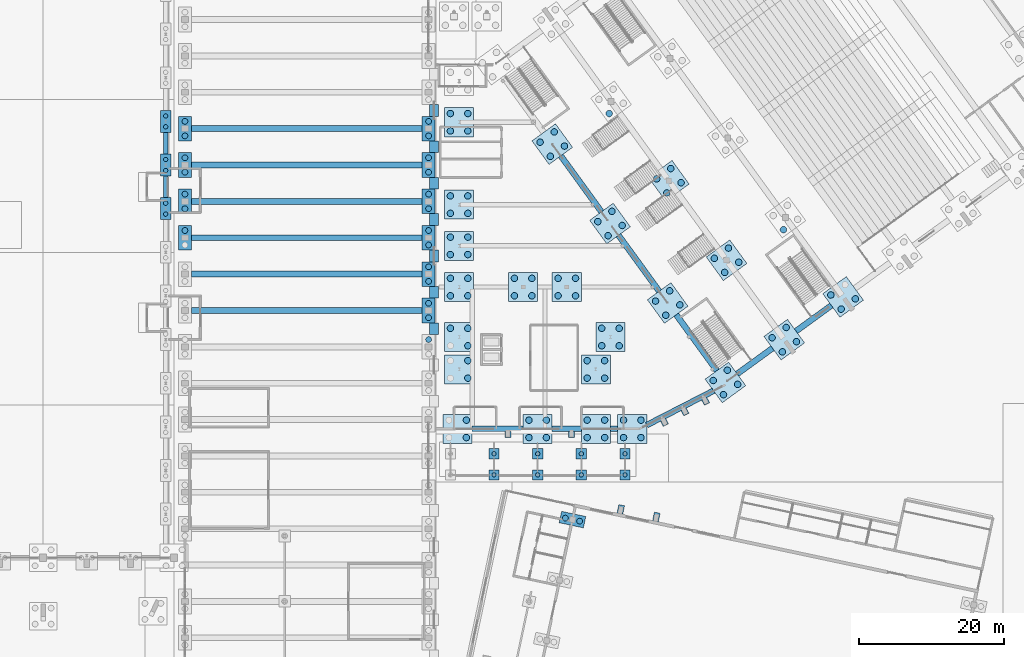
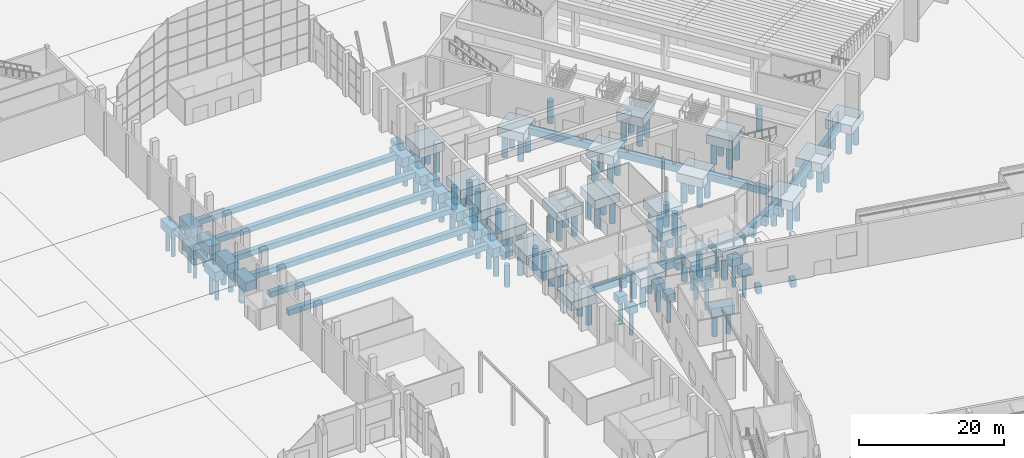
# One storey, part 8 of 239: 120 piles, 75 footings.
"""IFC4 building model written with IfcOpenShell, lengths in metres."""

from ifc_helpers import new_model, si_unit, direction, frame, origin, origin_2d, place, context, subcontext, project, spatial, rectangle, circle, extrude, material, material_profile, profile_set, type_object, element, save


model = new_model("IFC4")

# Units and contexts
model_context = context("Model", 3, precision=1e-05, world=origin(), true_north=direction((0.0, 1.0)))
body_context = subcontext(model_context, "Body", "Model", "MODEL_VIEW")
ifc_project = project(units=[si_unit("LENGTHUNIT", "METRE"), si_unit("AREAUNIT", "SQUARE_METRE"), si_unit("VOLUMEUNIT", "CUBIC_METRE"), si_unit("PLANEANGLEUNIT", "RADIAN"), si_unit("MASSUNIT", "GRAM", prefix="KILO")], contexts=[model_context])

# Site, building, storey
site_placement = place(None, origin())
site = spatial("IfcSite", under=ifc_project, at=site_placement, CompositionType="ELEMENT")
building_placement = place(site_placement, origin())
building = spatial("IfcBuilding", under=site, at=building_placement, Name="Okhra Congress Centre", CompositionType="ELEMENT")
storey_placement = place(building_placement, origin())
storey = spatial("IfcBuildingStorey", under=building, at=storey_placement, Name="L00", CompositionType="ELEMENT", Elevation=0.0)

# Piles
ifc_material_1 = material(Name="Concrete C30/37", Category="concrete")
ifc_material_profile_1 = material_profile(ifc_material_1, circle(Radius=0.300048828125, at=origin_2d()), Name="D600")
ifc_profile_set_1 = profile_set([ifc_material_profile_1], Name="Concrete C30/37")
pile_type_1 = type_object("IfcPileType", Name="Bored pile D600", PredefinedType="BORED", material=ifc_profile_set_1)
for number, where, z_axis, x_axis, name in (
    (1, (152.85009765625, 179.25, -1.800048828125), (0.0, 0.0, -1.0), (1.0, 0.0, 0.0), "EH.PILE.L00.PP30.1"),
    (2, (152.85009765625, 180.75, -1.800048828125), (0.0, 0.0, -1.0), (1.0, 0.0, 0.0), "EH.PILE.L00.PP30.2"),
    (3, (152.85009765625, 185.25, -1.800048828125), (0.0, 0.0, -1.0), (1.0, 0.0, 0.0), "EH.PILE.L00.PP32.1"),
    (4, (152.85009765625, 186.75, -1.800048828125), (0.0, 0.0, -1.0), (1.0, 0.0, 0.0), "EH.PILE.L00.PP32.2"),
    (5, (152.85009765625, 191.25, -1.800048828125), (0.0, 0.0, -1.0), (1.0, 0.0, 0.0), "EH.PILE.L00.PP34.1"),
    (6, (152.85009765625, 192.75, -1.800048828125), (0.0, 0.0, -1.0), (1.0, 0.0, 0.0), "EH.PILE.L00.PP34.2"),
):
    element("IfcPile", number, at=place(storey_placement, frame(where, z_axis=z_axis, x_axis=x_axis)), inside=storey, type_object=pile_type_1, Name=name, PredefinedType="BORED", context=body_context, shape_type="SweptSolid", body=[
        extrude(circle(Radius=0.300048828125, at=origin_2d()), origin(), (0.0, 0.0, 1.0), 3.699951171875),
    ])
ifc_material_profile_2 = material_profile(ifc_material_1, circle(Radius=0.300048828125, at=origin_2d()), Name="D600")
ifc_profile_set_2 = profile_set([ifc_material_profile_2], Name="Concrete C30/37")
pile_type_2 = type_object("IfcPileType", Name="Bored pile D600 C30/37", PredefinedType="BORED", material=ifc_profile_set_2)
for number, where, z_axis, x_axis, name in (
    (7, (198.0, 143.39990234375, -1.5), (0.0, 0.0, -1.0), (1.0, 0.0, 0.0), "ST.PILE.L00.canopy-1-0"),
    (8, (198.0, 146.300048828125, -1.5), (0.0, 0.0, -1.0), (1.0, 0.0, 0.0), "ST.PILE.L00.canopy-1-1"),
    (9, (204.0, 143.39990234375, -1.5), (0.0, 0.0, -1.0), (1.0, 0.0, 0.0), "ST.PILE.L00.canopy-2-0"),
    (10, (204.0, 146.300048828125, -1.5), (0.0, 0.0, -1.0), (1.0, 0.0, 0.0), "ST.PILE.L00.canopy-2-1"),
    (11, (210.0, 143.39990234375, -1.5), (0.0, 0.0, -1.0), (1.0, 0.0, 0.0), "ST.PILE.L00.canopy-3-0"),
    (12, (210.0, 146.300048828125, -1.5), (0.0, 0.0, -1.0), (1.0, 0.0, 0.0), "ST.PILE.L00.canopy-3-1"),
    (13, (216.0, 143.39990234375, -1.5), (0.0, 0.0, -1.0), (1.0, 0.0, 0.0), "ST.PILE.L00.canopy-4-0"),
    (14, (216.0, 146.300048828125, -1.5), (0.0, 0.0, -1.0), (1.0, 0.0, 0.0), "ST.PILE.L00.canopy-4-1"),
):
    element("IfcPile", number, at=place(storey_placement, frame(where, z_axis=z_axis, x_axis=x_axis)), inside=storey, type_object=pile_type_2, Name=name, PredefinedType="BORED", context=body_context, shape_type="SweptSolid", body=[
        extrude(circle(Radius=0.300048828125, at=origin_2d()), origin(), (0.0, 0.0, 1.0), 4.0),
    ])
ifc_material_profile_3 = material_profile(ifc_material_1, circle(Radius=0.39990234375, at=origin_2d()), Name="D800")
ifc_profile_set_3 = profile_set([ifc_material_profile_3], Name="Concrete C30/37")
pile_type_3 = type_object("IfcPileType", Name="Bored pile D800 C30/37", PredefinedType="BORED", material=ifc_profile_set_3)
for number, where, z_axis, x_axis, name in (
    (15, (189.0, 162.0, -1.800048828125), (0.0, 0.0, -1.0), (1.0, 0.0, 0.0), "WG.PILE.L00.E17-2"),
    (16, (189.0, 165.0, -1.800048828125), (0.0, 0.0, -1.0), (1.0, 0.0, 0.0), "WG.PILE.L00.E18-1"),
    (17, (189.0, 167.0, -1.800048828125), (0.0, 0.0, -1.0), (1.0, 0.0, 0.0), "WG.PILE.L00.E18-2"),
    (18, (189.0, 170.0, -1.800048828125), (0.0, 0.0, -1.0), (1.0, 0.0, 0.0), "WG.PILE.L00.E19-1"),
    (19, (189.0, 172.0, -1.800048828125), (0.0, 0.0, -1.0), (1.0, 0.0, 0.0), "WG.PILE.L00.E19-2"),
    (20, (155.5, 177.0, -1.800048828125), (0.0, 0.0, -1.0), (1.0, 0.0, 0.0), "WG.PILE.L00.W20-2"),
    (21, (189.0, 175.0, -1.800048828125), (0.0, 0.0, -1.0), (1.0, 0.0, 0.0), "WG.PILE.L00.E20-1"),
    (22, (189.0, 177.0, -1.800048828125), (0.0, 0.0, -1.0), (1.0, 0.0, 0.0), "WG.PILE.L00.E20-2"),
    (23, (155.5, 180.0, -1.800048828125), (0.0, 0.0, -1.0), (1.0, 0.0, 0.0), "WG.PILE.L00.W21-1"),
    (24, (155.5, 182.0, -1.800048828125), (0.0, 0.0, -1.0), (1.0, 0.0, 0.0), "WG.PILE.L00.W21-2"),
    (25, (189.0, 180.0, -1.800048828125), (0.0, 0.0, -1.0), (1.0, 0.0, 0.0), "WG.PILE.L00.E21-1"),
    (26, (189.0, 182.0, -1.800048828125), (0.0, 0.0, -1.0), (1.0, 0.0, 0.0), "WG.PILE.L00.E21-2"),
    (27, (155.5, 185.0, -1.800048828125), (0.0, 0.0, -1.0), (1.0, 0.0, 0.0), "WG.PILE.L00.W22-1"),
    (28, (155.5, 187.0, -1.800048828125), (0.0, 0.0, -1.0), (1.0, 0.0, 0.0), "WG.PILE.L00.W22-2"),
    (29, (189.0, 185.0, -1.800048828125), (0.0, 0.0, -1.0), (1.0, 0.0, 0.0), "WG.PILE.L00.E22-1"),
    (30, (189.0, 187.0, -1.800048828125), (0.0, 0.0, -1.0), (1.0, 0.0, 0.0), "WG.PILE.L00.E22-2"),
    (31, (155.5, 190.0, -1.800048828125), (0.0, 0.0, -1.0), (1.0, 0.0, 0.0), "WG.PILE.L00.W23-1"),
    (32, (155.5, 192.0, -1.800048828125), (0.0, 0.0, -1.0), (1.0, 0.0, 0.0), "WG.PILE.L00.W23-2"),
    (33, (189.0, 190.0, -1.800048828125), (0.0, 0.0, -1.0), (1.0, 0.0, 0.0), "WG.PILE.L00.E23-1"),
    (34, (189.0, 192.0, -1.800048828125), (0.0, 0.0, -1.0), (1.0, 0.0, 0.0), "WG.PILE.L00.E23-2"),
    (35, (207.807861328125, 137.453369140625, -1.800048828125), (0.0, 0.0, -1.0), (1.0, 0.0, 0.0), "BR.PILE.L00.W5-1"),
    (36, (209.76416015625, 137.03759765625, -1.800048828125), (0.0, 0.0, -1.0), (1.0, 0.0, 0.0), "BR.PILE.L00.W5-2"),
):
    element("IfcPile", number, at=place(storey_placement, frame(where, z_axis=z_axis, x_axis=x_axis)), inside=storey, type_object=pile_type_3, Name=name, PredefinedType="BORED", context=body_context, shape_type="SweptSolid", body=[
        extrude(circle(Radius=0.39990234375, at=origin_2d()), origin(), (0.0, 0.0, 1.0), 3.699951171875),
    ])
ifc_material_profile_4 = material_profile(ifc_material_1, circle(Radius=0.449951171875, at=origin_2d()), Name="D900")
ifc_profile_set_4 = profile_set([ifc_material_profile_4], Name="Concrete C30/37")
pile_type_4 = type_object("IfcPileType", Name="Bored pile D900 C30/37", PredefinedType="BORED", material=ifc_profile_set_4)
for number, where, z_axis, x_axis, name in (
    (37, (229.544921875, 154.4326171875, -1.699951171875), (0.0, 0.0, -1.0), (1.0, 0.0, 0.0), "Bored pile 1.1"),
    (38, (231.486572265625, 155.843505859375, -1.699951171875), (0.0, 0.0, -1.0), (1.0, 0.0, 0.0), "Bored pile 1.2"),
    (39, (228.13427734375, 156.374267578125, -1.699951171875), (0.0, 0.0, -1.0), (1.0, 0.0, 0.0), "Bored pile 1.3"),
    (40, (230.075927734375, 157.78515625, -1.699951171875), (0.0, 0.0, -1.0), (1.0, 0.0, 0.0), "Bored pile 1.4"),
    (41, (237.63525390625, 160.310546875, -1.699951171875), (0.0, 0.0, -1.0), (1.0, 0.0, 0.0), "Bored pile 3.1"),
    (42, (239.576904296875, 161.72119140625, -1.699951171875), (0.0, 0.0, -1.0), (1.0, 0.0, 0.0), "Bored pile 3.2"),
    (43, (236.224609375, 162.252197265625, -1.699951171875), (0.0, 0.0, -1.0), (1.0, 0.0, 0.0), "Bored pile 3.3"),
    (44, (238.166259765625, 163.662841796875, -1.699951171875), (0.0, 0.0, -1.0), (1.0, 0.0, 0.0), "Bored pile 3.4"),
    (45, (245.725341796875, 166.1884765625, -1.699951171875), (0.0, 0.0, -1.0), (1.0, 0.0, 0.0), "Bored pile 5.1"),
    (46, (247.6669921875, 167.59912109375, -1.699951171875), (0.0, 0.0, -1.0), (1.0, 0.0, 0.0), "Bored pile 5.2"),
    (47, (244.314697265625, 168.130126953125, -1.699951171875), (0.0, 0.0, -1.0), (1.0, 0.0, 0.0), "Bored pile 5.3"),
    (48, (221.60986328125, 165.3544921875, -1.699951171875), (0.0, 0.0, -1.0), (1.0, 0.0, 0.0), "Bored pile 15.1"),
    (49, (223.551513671875, 166.76513671875, -1.699951171875), (0.0, 0.0, -1.0), (1.0, 0.0, 0.0), "Bored pile 15.2"),
    (50, (220.19921875, 167.296142578125, -1.699951171875), (0.0, 0.0, -1.0), (1.0, 0.0, 0.0), "Bored pile 15.3"),
    (51, (222.140869140625, 168.706787109375, -1.699951171875), (0.0, 0.0, -1.0), (1.0, 0.0, 0.0), "Bored pile 15.4"),
    (52, (213.6748046875, 176.276123046875, -1.699951171875), (0.0, 0.0, -1.0), (1.0, 0.0, 0.0), "Bored pile 16.1"),
    (53, (215.616455078125, 177.686767578125, -1.699951171875), (0.0, 0.0, -1.0), (1.0, 0.0, 0.0), "Bored pile 16.2"),
    (54, (212.26416015625, 178.2177734375, -1.699951171875), (0.0, 0.0, -1.0), (1.0, 0.0, 0.0), "Bored pile 16.3"),
    (55, (214.205810546875, 179.62841796875, -1.699951171875), (0.0, 0.0, -1.0), (1.0, 0.0, 0.0), "Bored pile 16.4"),
    (56, (205.73974609375, 187.197998046875, -1.699951171875), (0.0, 0.0, -1.0), (1.0, 0.0, 0.0), "Bored pile 17.1"),
    (57, (207.681396484375, 188.608642578125, -1.699951171875), (0.0, 0.0, -1.0), (1.0, 0.0, 0.0), "Bored pile 17.2"),
    (58, (204.3291015625, 189.1396484375, -1.699951171875), (0.0, 0.0, -1.0), (1.0, 0.0, 0.0), "Bored pile 17.3"),
    (59, (206.270751953125, 190.55029296875, -1.699951171875), (0.0, 0.0, -1.0), (1.0, 0.0, 0.0), "Bored pile 17.4"),
    (60, (229.7001953125, 171.232421875, -1.699951171875), (0.0, 0.0, -1.0), (1.0, 0.0, 0.0), "Bored pile 21.1"),
    (61, (231.641845703125, 172.64306640625, -1.699951171875), (0.0, 0.0, -1.0), (1.0, 0.0, 0.0), "Bored pile 21.2"),
    (62, (228.289306640625, 173.173828125, -1.699951171875), (0.0, 0.0, -1.0), (1.0, 0.0, 0.0), "Bored pile 21.3"),
    (63, (230.23095703125, 174.584716796875, -1.699951171875), (0.0, 0.0, -1.0), (1.0, 0.0, 0.0), "Bored pile 21.4"),
    (64, (221.764892578125, 182.154052734375, -1.699951171875), (0.0, 0.0, -1.0), (1.0, 0.0, 0.0), "Bored pile 22.1"),
    (65, (223.70654296875, 183.564697265625, -1.699951171875), (0.0, 0.0, -1.0), (1.0, 0.0, 0.0), "Bored pile 22.2"),
    (66, (220.354248046875, 184.095703125, -1.699951171875), (0.0, 0.0, -1.0), (1.0, 0.0, 0.0), "Bored pile 22.3"),
    (67, (222.2958984375, 185.50634765625, -1.699951171875), (0.0, 0.0, -1.0), (1.0, 0.0, 0.0), "Bored pile 22.4"),
    (68, (213.829833984375, 193.07568359375, -1.699951171875), (0.0, 0.0, -1.0), (1.0, 0.0, 0.0), "Bored pile 23.1"),
    (69, (237.790283203125, 177.110107421875, -1.699951171875), (0.0, 0.0, -1.0), (1.0, 0.0, 0.0), "Bored pile 24.1"),
    (70, (194.199951171875, 148.530029296875, -1.699951171875), (0.0, 0.0, -1.0), (1.0, 0.0, 0.0), "Foyer bored pile 1.2"),
    (71, (194.199951171875, 150.929931640625, -1.699951171875), (0.0, 0.0, -1.0), (1.0, 0.0, 0.0), "Foyer bored pile 1.4"),
    (72, (202.800048828125, 148.530029296875, -1.699951171875), (0.0, 0.0, -1.0), (1.0, 0.0, 0.0), "Foyer bored pile 2.1"),
    (73, (205.199951171875, 148.530029296875, -1.699951171875), (0.0, 0.0, -1.0), (1.0, 0.0, 0.0), "Foyer bored pile 2.2"),
    (74, (202.800048828125, 150.929931640625, -1.699951171875), (0.0, 0.0, -1.0), (1.0, 0.0, 0.0), "Foyer bored pile 2.3"),
    (75, (205.199951171875, 150.929931640625, -1.699951171875), (0.0, 0.0, -1.0), (1.0, 0.0, 0.0), "Foyer bored pile 2.4"),
    (76, (210.800048828125, 148.530029296875, -1.699951171875), (0.0, 0.0, -1.0), (1.0, 0.0, 0.0), "Foyer bored pile 3.1"),
    (77, (213.199951171875, 148.530029296875, -1.699951171875), (0.0, 0.0, -1.0), (1.0, 0.0, 0.0), "Foyer bored pile 3.2"),
    (78, (210.800048828125, 150.929931640625, -1.699951171875), (0.0, 0.0, -1.0), (1.0, 0.0, 0.0), "Foyer bored pile 3.3"),
    (79, (213.199951171875, 150.929931640625, -1.699951171875), (0.0, 0.0, -1.0), (1.0, 0.0, 0.0), "Foyer bored pile 3.4"),
    (80, (215.800048828125, 148.530029296875, -1.699951171875), (0.0, 0.0, -1.0), (1.0, 0.0, 0.0), "Foyer bored pile 4.1"),
    (81, (218.199951171875, 148.530029296875, -1.699951171875), (0.0, 0.0, -1.0), (1.0, 0.0, 0.0), "Foyer bored pile 4.2"),
    (82, (215.800048828125, 150.929931640625, -1.699951171875), (0.0, 0.0, -1.0), (1.0, 0.0, 0.0), "Foyer bored pile 4.3"),
    (83, (218.199951171875, 150.929931640625, -1.699951171875), (0.0, 0.0, -1.0), (1.0, 0.0, 0.0), "Foyer bored pile 4.4"),
    (84, (194.39990234375, 156.699951171875, -1.699951171875), (0.0, 0.0, -1.0), (1.0, 0.0, 0.0), "Foyer bored pile 5.2"),
    (85, (194.39990234375, 159.10009765625, -1.699951171875), (0.0, 0.0, -1.0), (1.0, 0.0, 0.0), "Foyer bored pile 5.4"),
    (86, (210.800048828125, 156.699951171875, -1.699951171875), (0.0, 0.0, -1.0), (1.0, 0.0, 0.0), "Foyer bored pile 6.1"),
    (87, (213.199951171875, 156.699951171875, -1.699951171875), (0.0, 0.0, -1.0), (1.0, 0.0, 0.0), "Foyer bored pile 6.2"),
    (88, (210.800048828125, 159.10009765625, -1.699951171875), (0.0, 0.0, -1.0), (1.0, 0.0, 0.0), "Foyer bored pile 6.3"),
    (89, (213.199951171875, 159.10009765625, -1.699951171875), (0.0, 0.0, -1.0), (1.0, 0.0, 0.0), "Foyer bored pile 6.4"),
    (90, (194.39990234375, 161.14990234375, -1.699951171875), (0.0, 0.0, -1.0), (1.0, 0.0, 0.0), "Foyer bored pile 7.2"),
    (91, (192.0, 163.550048828125, -1.699951171875), (0.0, 0.0, -1.0), (1.0, 0.0, 0.0), "Foyer bored pile 7.3"),
    (92, (194.39990234375, 163.550048828125, -1.699951171875), (0.0, 0.0, -1.0), (1.0, 0.0, 0.0), "Foyer bored pile 7.4"),
    (93, (212.800048828125, 161.14990234375, -1.699951171875), (0.0, 0.0, -1.0), (1.0, 0.0, 0.0), "Foyer bored pile 8.1"),
    (94, (215.199951171875, 161.14990234375, -1.699951171875), (0.0, 0.0, -1.0), (1.0, 0.0, 0.0), "Foyer bored pile 8.2"),
    (95, (212.800048828125, 163.550048828125, -1.699951171875), (0.0, 0.0, -1.0), (1.0, 0.0, 0.0), "Foyer bored pile 8.3"),
    (96, (215.199951171875, 163.550048828125, -1.699951171875), (0.0, 0.0, -1.0), (1.0, 0.0, 0.0), "Foyer bored pile 8.4"),
    (97, (192.0, 168.02001953125, -1.699951171875), (0.0, 0.0, -1.0), (1.0, 0.0, 0.0), "Foyer bored pile 9.1"),
    (98, (194.39990234375, 168.02001953125, -1.699951171875), (0.0, 0.0, -1.0), (1.0, 0.0, 0.0), "Foyer bored pile 9.2"),
    (99, (192.0, 170.419921875, -1.699951171875), (0.0, 0.0, -1.0), (1.0, 0.0, 0.0), "Foyer bored pile 9.3"),
    (100, (194.39990234375, 170.419921875, -1.699951171875), (0.0, 0.0, -1.0), (1.0, 0.0, 0.0), "Foyer bored pile 9.4"),
    (101, (192.0, 173.68994140625, -1.699951171875), (0.0, 0.0, -1.0), (1.0, 0.0, 0.0), "Foyer bored pile 10.1"),
    (102, (194.39990234375, 173.68994140625, -1.699951171875), (0.0, 0.0, -1.0), (1.0, 0.0, 0.0), "Foyer bored pile 10.2"),
    (103, (192.0, 176.090087890625, -1.699951171875), (0.0, 0.0, -1.0), (1.0, 0.0, 0.0), "Foyer bored pile 10.3"),
    (104, (194.39990234375, 176.090087890625, -1.699951171875), (0.0, 0.0, -1.0), (1.0, 0.0, 0.0), "Foyer bored pile 10.4"),
    (105, (192.0, 179.35009765625, -1.699951171875), (0.0, 0.0, -1.0), (1.0, 0.0, 0.0), "Foyer bored pile 11.1"),
    (106, (194.39990234375, 179.35009765625, -1.699951171875), (0.0, 0.0, -1.0), (1.0, 0.0, 0.0), "Foyer bored pile 11.2"),
    (107, (192.0, 181.75, -1.699951171875), (0.0, 0.0, -1.0), (1.0, 0.0, 0.0), "Foyer bored pile 11.3"),
    (108, (194.39990234375, 181.75, -1.699951171875), (0.0, 0.0, -1.0), (1.0, 0.0, 0.0), "Foyer bored pile 11.4"),
    (109, (192.0, 190.679931640625, -1.699951171875), (0.0, 0.0, -1.0), (1.0, 0.0, 0.0), "Foyer bored pile 12.1"),
    (110, (194.39990234375, 190.679931640625, -1.699951171875), (0.0, 0.0, -1.0), (1.0, 0.0, 0.0), "Foyer bored pile 12.2"),
    (111, (192.0, 193.080078125, -1.699951171875), (0.0, 0.0, -1.0), (1.0, 0.0, 0.0), "Foyer bored pile 12.3"),
    (112, (194.39990234375, 193.080078125, -1.699951171875), (0.0, 0.0, -1.0), (1.0, 0.0, 0.0), "Foyer bored pile 12.4"),
    (113, (200.800048828125, 168.02001953125, -1.699951171875), (0.0, 0.0, -1.0), (1.0, 0.0, 0.0), "Foyer bored pile 101.1"),
    (114, (203.199951171875, 168.02001953125, -1.699951171875), (0.0, 0.0, -1.0), (1.0, 0.0, 0.0), "Foyer bored pile 101.2"),
    (115, (200.800048828125, 170.419921875, -1.699951171875), (0.0, 0.0, -1.0), (1.0, 0.0, 0.0), "Foyer bored pile 101.3"),
    (116, (203.199951171875, 170.419921875, -1.699951171875), (0.0, 0.0, -1.0), (1.0, 0.0, 0.0), "Foyer bored pile 101.4"),
    (117, (206.800048828125, 168.02001953125, -1.699951171875), (0.0, 0.0, -1.0), (1.0, 0.0, 0.0), "Foyer bored pile 102.1"),
    (118, (209.199951171875, 168.02001953125, -1.699951171875), (0.0, 0.0, -1.0), (1.0, 0.0, 0.0), "Foyer bored pile 102.2"),
    (119, (206.800048828125, 170.419921875, -1.699951171875), (0.0, 0.0, -1.0), (1.0, 0.0, 0.0), "Foyer bored pile 102.3"),
    (120, (209.199951171875, 170.419921875, -1.699951171875), (0.0, 0.0, -1.0), (1.0, 0.0, 0.0), "Foyer bored pile 102.4"),
):
    element("IfcPile", number, at=place(storey_placement, frame(where, z_axis=z_axis, x_axis=x_axis)), inside=storey, type_object=pile_type_4, Name=name, PredefinedType="BORED", context=body_context, shape_type="SweptSolid", body=[
        extrude(circle(Radius=0.449951171875, at=origin_2d()), origin(), (0.0, 0.0, 1.0), 3.800048828125),
    ])

# Footings
footing_type_1 = type_object("IfcFootingType", Name="Ground beam 600x800 C30/37", PredefinedType="FOOTING_BEAM", material=ifc_material_1)
for number, where, z_axis, x_axis, name in (
    (121, (152.85009765625, 183.0, -1.2001953125), (0.0, 0.0, 1.0), (0.0, 1.0, 0.0), "EH.FTG.L00.GB51"),
    (122, (152.85009765625, 189.0, -1.2001953125), (0.0, 0.0, 1.0), (0.0, 1.0, 0.0), "EH.FTG.L00.GB52"),
):
    element("IfcFooting", number, at=place(storey_placement, frame(where, z_axis=z_axis, x_axis=x_axis)), inside=storey, type_object=footing_type_1, Name=name, PredefinedType="FOOTING_BEAM", context=body_context, shape_type="SweptSolid", body=[
        extrude(rectangle(XDim=3.0, YDim=0.60009765625, at=origin_2d()), origin(), (0.0, 0.0, 1.0), 0.800048828125),
    ])
footing_type_2 = type_object("IfcFootingType", Name="Pile cap 1400x1400x1200 C30/37", PredefinedType="PILE_CAP", material=ifc_material_1)
for number, where, z_axis, x_axis, name in (
    (123, (198.0, 143.39990234375, -1.60009765625), (0.0, 0.0, 1.0), (1.0, 0.0, 0.0), "ST.FTG.L00.canopy-cap-1-0"),
    (124, (198.0, 146.300048828125, -1.60009765625), (0.0, 0.0, 1.0), (1.0, 0.0, 0.0), "ST.FTG.L00.canopy-cap-1-1"),
    (125, (204.0, 143.39990234375, -1.60009765625), (0.0, 0.0, 1.0), (1.0, 0.0, 0.0), "ST.FTG.L00.canopy-cap-2-0"),
    (126, (204.0, 146.300048828125, -1.60009765625), (0.0, 0.0, 1.0), (1.0, 0.0, 0.0), "ST.FTG.L00.canopy-cap-2-1"),
    (127, (210.0, 143.39990234375, -1.60009765625), (0.0, 0.0, 1.0), (1.0, 0.0, 0.0), "ST.FTG.L00.canopy-cap-3-0"),
    (128, (210.0, 146.300048828125, -1.60009765625), (0.0, 0.0, 1.0), (1.0, 0.0, 0.0), "ST.FTG.L00.canopy-cap-3-1"),
    (129, (216.0, 143.39990234375, -1.60009765625), (0.0, 0.0, 1.0), (1.0, 0.0, 0.0), "ST.FTG.L00.canopy-cap-4-0"),
    (130, (216.0, 146.300048828125, -1.60009765625), (0.0, 0.0, 1.0), (1.0, 0.0, 0.0), "ST.FTG.L00.canopy-cap-4-1"),
):
    element("IfcFooting", number, at=place(storey_placement, frame(where, z_axis=z_axis, x_axis=x_axis)), inside=storey, type_object=footing_type_2, Name=name, PredefinedType="PILE_CAP", context=body_context, shape_type="SweptSolid", body=[
        extrude(rectangle(XDim=1.39990234375, YDim=1.39990234375, at=origin_2d()), origin(), (0.0, 0.0, 1.0), 1.199951171875),
    ])
footing_type_3 = type_object("IfcFootingType", Name="Pile cap 1800x3400x1500 C30/37", PredefinedType="PILE_CAP", material=ifc_material_1)
for number, where, z_axis, x_axis, name in (
    (131, (189.0, 166.0, -1.89990234375), (0.0, 0.0, 1.0), (1.0, 0.0, 0.0), "WG.FTG.L00.cap-E18"),
    (132, (189.0, 171.0, -1.89990234375), (0.0, 0.0, 1.0), (1.0, 0.0, 0.0), "WG.FTG.L00.cap-E19"),
    (133, (155.5, 176.0, -1.89990234375), (0.0, 0.0, 1.0), (1.0, 0.0, 0.0), "WG.FTG.L00.cap-W20"),
    (134, (189.0, 176.0, -1.89990234375), (0.0, 0.0, 1.0), (1.0, 0.0, 0.0), "WG.FTG.L00.cap-E20"),
    (135, (155.5, 181.0, -1.89990234375), (0.0, 0.0, 1.0), (1.0, 0.0, 0.0), "WG.FTG.L00.cap-W21"),
    (136, (189.0, 181.0, -1.89990234375), (0.0, 0.0, 1.0), (1.0, 0.0, 0.0), "WG.FTG.L00.cap-E21"),
    (137, (155.5, 186.0, -1.89990234375), (0.0, 0.0, 1.0), (1.0, 0.0, 0.0), "WG.FTG.L00.cap-W22"),
    (138, (189.0, 186.0, -1.89990234375), (0.0, 0.0, 1.0), (1.0, 0.0, 0.0), "WG.FTG.L00.cap-E22"),
    (139, (155.5, 191.0, -1.89990234375), (0.0, 0.0, 1.0), (1.0, 0.0, 0.0), "WG.FTG.L00.cap-W23"),
    (140, (189.0, 191.0, -1.89990234375), (0.0, 0.0, 1.0), (1.0, 0.0, 0.0), "WG.FTG.L00.cap-E23"),
):
    element("IfcFooting", number, at=place(storey_placement, frame(where, z_axis=z_axis, x_axis=x_axis)), inside=storey, type_object=footing_type_3, Name=name, PredefinedType="PILE_CAP", context=body_context, shape_type="SweptSolid", body=[
        extrude(rectangle(XDim=1.800048828125, YDim=3.39990234375, at=origin_2d()), origin(), (0.0, 0.0, 1.0), 1.5),
    ])
footing_type_4 = type_object("IfcFootingType", Name="Pile cap 3000x1400x1500 C30/37", PredefinedType="PILE_CAP", material=ifc_material_1)
for number, where, z_axis, x_axis, name in (
    (141, (152.85009765625, 180.0, -1.89990234375), (0.0, 0.0, 1.0), (0.0, 1.0, 0.0), "EH.FTG.L00.PP30"),
    (142, (152.85009765625, 186.0, -1.89990234375), (0.0, 0.0, 1.0), (0.0, 1.0, 0.0), "EH.FTG.L00.PP32"),
    (143, (152.85009765625, 192.0, -1.89990234375), (0.0, 0.0, 1.0), (0.0, 1.0, 0.0), "EH.FTG.L00.PP34"),
):
    element("IfcFooting", number, at=place(storey_placement, frame(where, z_axis=z_axis, x_axis=x_axis)), inside=storey, type_object=footing_type_4, Name=name, PredefinedType="PILE_CAP", context=body_context, shape_type="SweptSolid", body=[
        extrude(rectangle(XDim=3.0, YDim=1.39990234375, at=origin_2d()), origin(), (0.0, 0.0, 1.0), 1.5),
    ])
footing_type_5 = type_object("IfcFootingType", Name="Pile cap 3400x1600x1500 C30/37", PredefinedType="PILE_CAP", material=ifc_material_1)
footing_1_placement = place(storey_placement, frame((208.785888671875, 137.24560546875, -1.89990234375), z_axis=(0.0, 0.0, 1.0), x_axis=(0.978147600734, -0.207911690818, 0.0)))
element("IfcFooting", 144, at=footing_1_placement, inside=storey, type_object=footing_type_5, Name="BR.FTG.L00.cap-W5", PredefinedType="PILE_CAP", context=body_context, shape_type="SweptSolid", body=[
    extrude(rectangle(XDim=3.39990234375, YDim=1.60009765625, at=origin_2d()), origin(), (0.0, 0.0, 1.0), 1.5),
])
footing_type_6 = type_object("IfcFootingType", Name="RC ground beam 1200x900 C30/37", PredefinedType="STRIP_FOOTING", material=ifc_material_1)
for number, where, z_axis, x_axis, name in (
    (145, (189.75, 163.5, -1.300048828125), (0.0, 0.0, 1.0), (1.0, 0.0, 0.0), "WG.FTG.L00.gbeam-11"),
    (146, (189.75, 168.5, -1.300048828125), (0.0, 0.0, 1.0), (1.0, 0.0, 0.0), "WG.FTG.L00.gbeam-12"),
    (147, (189.75, 173.5, -1.300048828125), (0.0, 0.0, 1.0), (1.0, 0.0, 0.0), "WG.FTG.L00.gbeam-13"),
    (148, (189.75, 178.5, -1.300048828125), (0.0, 0.0, 1.0), (1.0, 0.0, 0.0), "WG.FTG.L00.gbeam-14"),
    (149, (189.75, 183.5, -1.300048828125), (0.0, 0.0, 1.0), (1.0, 0.0, 0.0), "WG.FTG.L00.gbeam-15"),
    (150, (189.75, 188.5, -1.300048828125), (0.0, 0.0, 1.0), (1.0, 0.0, 0.0), "WG.FTG.L00.gbeam-16"),
    (151, (189.75, 193.5, -1.300048828125), (0.0, 0.0, 1.0), (1.0, 0.0, 0.0), "WG.FTG.L00.gbeam-17"),
):
    element("IfcFooting", number, at=place(storey_placement, frame(where, z_axis=z_axis, x_axis=x_axis)), inside=storey, type_object=footing_type_6, Name=name, PredefinedType="STRIP_FOOTING", context=body_context, shape_type="SweptSolid", body=[
        extrude(rectangle(XDim=1.199951171875, YDim=1.60009765625, at=origin_2d()), origin(), (0.0, 0.0, 1.0), 0.89990234375),
    ])
ifc_material_2 = material(Name="Concrete C35/45", Category="concrete")
footing_type_7 = type_object("IfcFootingType", Name="RC pile cap 4000x4000x1500 C35/45", PredefinedType="PILE_CAP", material=ifc_material_2)
for number, where, z_axis, x_axis, name in (
    (152, (229.810546875, 156.10888671875, -1.800048828125), (0.0, 0.0, 1.0), (0.809016994375, 0.587785252292, 0.0), "Pile cap 1"),
    (153, (237.900634765625, 161.98681640625, -1.800048828125), (0.0, 0.0, 1.0), (0.809016994375, 0.587785252292, 0.0), "Pile cap 3"),
    (154, (245.99072265625, 167.864501953125, -1.800048828125), (0.0, 0.0, 1.0), (0.809016994375, 0.587785252292, 0.0), "Pile cap 5"),
    (155, (221.87548828125, 167.030517578125, -1.800048828125), (0.0, 0.0, 1.0), (0.809016994375, 0.587785252292, 0.0), "Pile cap 15"),
    (156, (213.940185546875, 177.952392578125, -1.800048828125), (0.0, 0.0, 1.0), (0.809016994375, 0.587785252292, 0.0), "Pile cap 16"),
    (157, (206.005126953125, 188.8740234375, -1.800048828125), (0.0, 0.0, 1.0), (0.809016994375, 0.587785252292, 0.0), "Pile cap 17"),
    (158, (229.965576171875, 172.908447265625, -1.800048828125), (0.0, 0.0, 1.0), (0.809016994375, 0.587785252292, 0.0), "Pile cap 21"),
    (159, (222.030517578125, 183.830078125, -1.800048828125), (0.0, 0.0, 1.0), (0.809016994375, 0.587785252292, 0.0), "Pile cap 22"),
    (160, (193.0, 149.72998046875, -1.800048828125), (0.0, 0.0, 1.0), (1.0, 0.0, 0.0), "Foyer pile cap 1"),
    (161, (204.0, 149.72998046875, -1.800048828125), (0.0, 0.0, 1.0), (1.0, 0.0, 0.0), "Foyer pile cap 2"),
    (162, (212.0, 149.72998046875, -1.800048828125), (0.0, 0.0, 1.0), (1.0, 0.0, 0.0), "Foyer pile cap 3"),
    (163, (217.0, 149.72998046875, -1.800048828125), (0.0, 0.0, 1.0), (1.0, 0.0, 0.0), "Foyer pile cap 4"),
    (164, (193.199951171875, 157.89990234375, -1.800048828125), (0.0, 0.0, 1.0), (1.0, 0.0, 0.0), "Foyer pile cap 5"),
    (165, (212.0, 157.89990234375, -1.800048828125), (0.0, 0.0, 1.0), (1.0, 0.0, 0.0), "Foyer pile cap 6"),
    (166, (193.199951171875, 162.35009765625, -1.800048828125), (0.0, 0.0, 1.0), (1.0, 0.0, 0.0), "Foyer pile cap 7"),
    (167, (214.0, 162.35009765625, -1.800048828125), (0.0, 0.0, 1.0), (1.0, 0.0, 0.0), "Foyer pile cap 8"),
    (168, (193.199951171875, 169.219970703125, -1.800048828125), (0.0, 0.0, 1.0), (1.0, 0.0, 0.0), "Foyer pile cap 9"),
    (169, (193.199951171875, 174.889892578125, -1.800048828125), (0.0, 0.0, 1.0), (1.0, 0.0, 0.0), "Foyer pile cap 10"),
    (170, (193.199951171875, 180.550048828125, -1.800048828125), (0.0, 0.0, 1.0), (1.0, 0.0, 0.0), "Foyer pile cap 11"),
    (171, (193.199951171875, 191.8798828125, -1.800048828125), (0.0, 0.0, 1.0), (1.0, 0.0, 0.0), "Foyer pile cap 12"),
    (172, (202.0, 169.219970703125, -1.800048828125), (0.0, 0.0, 1.0), (1.0, 0.0, 0.0), "Foyer pile cap 101"),
    (173, (208.0, 169.219970703125, -1.800048828125), (0.0, 0.0, 1.0), (1.0, 0.0, 0.0), "Foyer pile cap 102"),
):
    element("IfcFooting", number, at=place(storey_placement, frame(where, z_axis=z_axis, x_axis=x_axis)), inside=storey, type_object=footing_type_7, Name=name, PredefinedType="PILE_CAP", context=body_context, shape_type="SweptSolid", body=[
        extrude(rectangle(XDim=4.0, YDim=4.0, at=origin_2d()), origin(), (0.0, 0.0, 1.0), 1.5),
    ])
footing_type_8 = type_object("IfcFootingType", Name="RC strip footing 800x1200 C35/45", PredefinedType="STRIP_FOOTING", material=ifc_material_2)
for number, where, z_axis, x_axis, name in (
    (174, (233.85546875, 159.0478515625, -1.5), (0.0, 0.0, 1.0), (0.809016994375, 0.587785252292, 0.0), "Strip footing 1"),
    (175, (241.94580078125, 164.92578125, -1.5), (0.0, 0.0, 1.0), (0.809016994375, 0.587785252292, 0.0), "Strip footing 2"),
):
    element("IfcFooting", number, at=place(storey_placement, frame(where, z_axis=z_axis, x_axis=x_axis)), inside=storey, type_object=footing_type_8, Name=name, PredefinedType="STRIP_FOOTING", context=body_context, shape_type="SweptSolid", body=[
        extrude(rectangle(XDim=6.0, YDim=0.800048828125, at=origin_2d()), origin(), (0.0, 0.0, 1.0), 1.199951171875),
    ])
for number, where, z_axis, x_axis, name in (
    (176, (225.843017578125, 161.56982421875, -1.5), (0.0, 0.0, 1.0), (-0.587785252292, 0.809016994375, 0.0), "Strip footing 13"),
    (177, (217.907958984375, 172.491455078125, -1.5), (0.0, 0.0, 1.0), (-0.587785252292, 0.809016994375, 0.0), "Strip footing 14"),
    (178, (209.97265625, 183.4130859375, -1.5), (0.0, 0.0, 1.0), (-0.587785252292, 0.809016994375, 0.0), "Strip footing 15"),
):
    element("IfcFooting", number, at=place(storey_placement, frame(where, z_axis=z_axis, x_axis=x_axis)), inside=storey, type_object=footing_type_8, Name=name, PredefinedType="STRIP_FOOTING", context=body_context, shape_type="SweptSolid", body=[
        extrude(rectangle(XDim=9.5, YDim=0.800048828125, at=origin_2d()), origin(), (0.0, 0.0, 1.0), 1.199951171875),
    ])
footing_2_placement = place(storey_placement, frame((198.5, 149.72998046875, -1.5), z_axis=(0.0, 0.0, 1.0), x_axis=(1.0, 0.0, 0.0)))
element("IfcFooting", 179, at=footing_2_placement, inside=storey, type_object=footing_type_8, Name="Foyer strip footing 1", PredefinedType="STRIP_FOOTING", context=body_context, shape_type="SweptSolid", body=[
    extrude(rectangle(XDim=7.0, YDim=0.800048828125, at=origin_2d()), origin(), (0.0, 0.0, 1.0), 1.199951171875),
])
footing_3_placement = place(storey_placement, frame((208.0, 149.72998046875, -1.5), z_axis=(0.0, 0.0, 1.0), x_axis=(1.0, 0.0, 0.0)))
element("IfcFooting", 180, at=footing_3_placement, inside=storey, type_object=footing_type_8, Name="Foyer strip footing 2", PredefinedType="STRIP_FOOTING", context=body_context, shape_type="SweptSolid", body=[
    extrude(rectangle(XDim=4.0, YDim=0.800048828125, at=origin_2d()), origin(), (0.0, 0.0, 1.0), 1.199951171875),
])
footing_4_placement = place(storey_placement, frame((214.5, 149.72998046875, -1.5), z_axis=(0.0, 0.0, 1.0), x_axis=(1.0, 0.0, 0.0)))
element("IfcFooting", 181, at=footing_4_placement, inside=storey, type_object=footing_type_8, Name="Foyer strip footing 3", PredefinedType="STRIP_FOOTING", context=body_context, shape_type="SweptSolid", body=[
    extrude(rectangle(XDim=1.0, YDim=0.800048828125, at=origin_2d()), origin(), (0.0, 0.0, 1.0), 1.199951171875),
])
footing_5_placement = place(storey_placement, frame((223.587646484375, 152.600341796875, -1.5), z_axis=(0.0, 0.0, 1.0), x_axis=(0.889510186962, 0.456915339303, 0.0)))
element("IfcFooting", 182, at=footing_5_placement, inside=storey, type_object=footing_type_8, Name="Foyer strip footing chamfer", PredefinedType="STRIP_FOOTING", context=body_context, shape_type="SweptSolid", body=[
    extrude(rectangle(XDim=10.315185546875, YDim=0.800048828125, at=origin_2d()), origin(), (0.0, 0.0, 1.0), 1.199951171875),
])
for number, where, z_axis, x_axis, name in (
    (183, (215.422119140625, 138.646240234375, -1.5), (0.0, 0.0, 1.0), (0.978147600734, -0.207911690818, 0.0), "Ballroom fin footing north-west 1"),
    (184, (220.31298828125, 137.606689453125, -1.5), (0.0, 0.0, 1.0), (0.978147600734, -0.207911690818, 0.0), "Ballroom fin footing north-west 2"),
):
    element("IfcFooting", number, at=place(storey_placement, frame(where, z_axis=z_axis, x_axis=x_axis)), inside=storey, type_object=footing_type_8, Name=name, PredefinedType="STRIP_FOOTING", context=body_context, shape_type="SweptSolid", body=[
        extrude(rectangle(XDim=0.800048828125, YDim=1.199951171875, at=origin_2d()), origin(), (0.0, 0.0, 1.0), 1.199951171875),
    ])
for number, where, z_axis, x_axis, name in (
    (185, (199.89990234375, 148.929931640625, -1.5), (0.0, 0.0, 1.0), (1.0, 0.0, 0.0), "Foyer fin footing 1"),
    (186, (208.64990234375, 148.929931640625, -1.5), (0.0, 0.0, 1.0), (1.0, 0.0, 0.0), "Foyer fin footing 2"),
    (187, (221.441650390625, 150.5986328125, -1.5), (0.0, 0.0, 1.0), (0.889510186962, 0.456915339303, 0.0), "Foyer fin footing 3"),
    (188, (224.263427734375, 152.0478515625, -1.5), (0.0, 0.0, 1.0), (0.889510186962, 0.456915339303, 0.0), "Foyer fin footing 4"),
    (189, (227.0849609375, 153.497314453125, -1.5), (0.0, 0.0, 1.0), (0.889510186962, 0.456915339303, 0.0), "Foyer fin footing 5"),
):
    element("IfcFooting", number, at=place(storey_placement, frame(where, z_axis=z_axis, x_axis=x_axis)), inside=storey, type_object=footing_type_8, Name=name, PredefinedType="STRIP_FOOTING", context=body_context, shape_type="SweptSolid", body=[
        extrude(rectangle(XDim=0.800048828125, YDim=0.800048828125, at=origin_2d()), origin(), (0.0, 0.0, 1.0), 1.199951171875),
    ])
footing_type_9 = type_object("IfcFootingType", Name="RC tie beam 800x900 C30/37", PredefinedType="STRIP_FOOTING", material=ifc_material_1)
for number, where, z_axis, x_axis, name in (
    (190, (172.25, 166.0, -1.300048828125), (0.0, 0.0, 1.0), (1.0, 0.0, 0.0), "WG.FTG.L00.tie-18"),
    (191, (172.25, 171.0, -1.300048828125), (0.0, 0.0, 1.0), (1.0, 0.0, 0.0), "WG.FTG.L00.tie-19"),
    (192, (172.25, 176.0, -1.300048828125), (0.0, 0.0, 1.0), (1.0, 0.0, 0.0), "WG.FTG.L00.tie-20"),
    (193, (172.25, 181.0, -1.300048828125), (0.0, 0.0, 1.0), (1.0, 0.0, 0.0), "WG.FTG.L00.tie-21"),
    (194, (172.25, 186.0, -1.300048828125), (0.0, 0.0, 1.0), (1.0, 0.0, 0.0), "WG.FTG.L00.tie-22"),
    (195, (172.25, 191.0, -1.300048828125), (0.0, 0.0, 1.0), (1.0, 0.0, 0.0), "WG.FTG.L00.tie-23"),
):
    element("IfcFooting", number, at=place(storey_placement, frame(where, z_axis=z_axis, x_axis=x_axis)), inside=storey, type_object=footing_type_9, Name=name, PredefinedType="STRIP_FOOTING", context=body_context, shape_type="SweptSolid", body=[
        extrude(rectangle(XDim=31.699951171875, YDim=0.800048828125, at=origin_2d()), origin(), (0.0, 0.0, 1.0), 0.89990234375),
    ])

save(model, "model.ifc")
